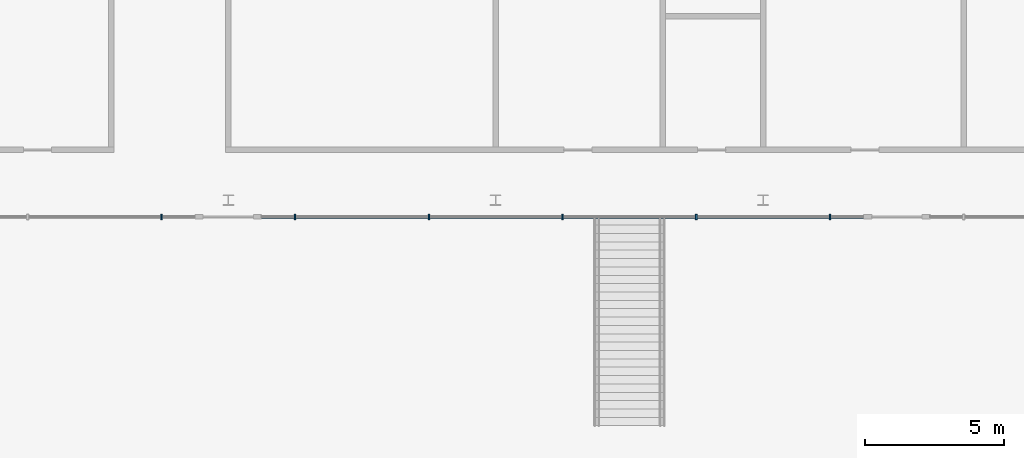
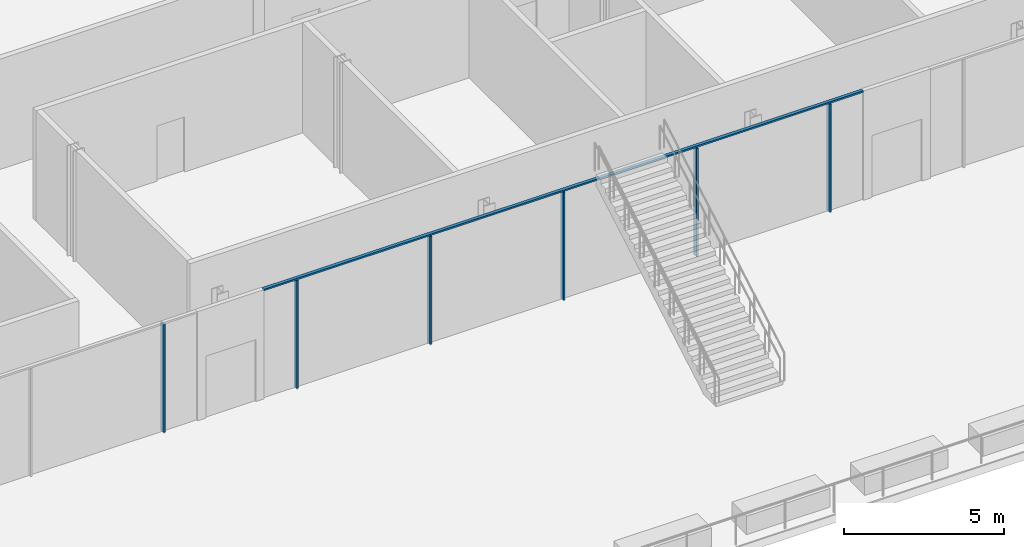
# One storey, part 9 of 45: 7 members, 1 element without a shape of its own.
"""IFC4 building model written with IfcOpenShell, lengths in metres."""

from ifc_helpers import new_model, si_unit, direction, frame, origin, origin_2d, place, context, subcontext, project, spatial, rectangle, extrude, material, layer, layer_set, material_profile, profile_set, type_object, element, aggregate, save


model = new_model("IFC4")

# Units and contexts
model_context = context("Model", 3, precision=1e-05, world=origin(), true_north=direction((0.0, 1.0)))
body_context = subcontext(model_context, "Body", "Model", "MODEL_VIEW")
ifc_project = project(units=[si_unit("LENGTHUNIT", "METRE"), si_unit("AREAUNIT", "SQUARE_METRE"), si_unit("VOLUMEUNIT", "CUBIC_METRE"), si_unit("PLANEANGLEUNIT", "RADIAN"), si_unit("MASSUNIT", "GRAM", prefix="KILO")], contexts=[model_context])

# Site, building, storey
site_placement = place(None, origin())
site = spatial("IfcSite", under=ifc_project, at=site_placement, CompositionType="ELEMENT")
building_placement = place(site_placement, origin())
building = spatial("IfcBuilding", under=site, at=building_placement, Name="Madar Terraces", CompositionType="ELEMENT")
storey_placement = place(building_placement, frame((0.0, 0.0, 6.0)))
storey = spatial("IfcBuildingStorey", under=building, at=storey_placement, Name="L01", CompositionType="ELEMENT", Elevation=6.0)

# Curtain wall, members
ifc_material_1 = material(Name="Glass, clear low-iron, with black aluminium frame", Category="aluminium")
ifc_layer = layer(ifc_material_1, 0.199951171875)
ifc_layer_set = layer_set([ifc_layer], Name="Facade curtain wall, shopfront glazing")
curtain_wall_type = type_object("IfcCurtainWallType", Name="Facade curtain wall, shopfront glazing", PredefinedType="NOTDEFINED", material=ifc_layer_set)
curtain_wall_placement = place(storey_placement, origin())
curtain_wall = element("IfcCurtainWall", 1, at=curtain_wall_placement, inside=storey, type_object=curtain_wall_type, Name="Outer skin curtain wall south bay 1", PredefinedType="NOTDEFINED")
ifc_material_2 = material(Name="Aluminium, black anodised", Category="aluminium")
ifc_material_profile_1 = material_profile(ifc_material_2, rectangle(XDim=0.199951171875, YDim=0.06005859375, at=origin_2d()), Name="Facade mullion 60x200")
ifc_profile_set_1 = profile_set([ifc_material_profile_1], Name="Aluminium, black anodised")
member_type_1 = type_object("IfcMemberType", Name="Facade mullion 60x200", PredefinedType="MULLION", material=ifc_profile_set_1)
member_1_placement = place(storey_placement, frame((31.199951171875, -38.39990234375, 0.0), z_axis=(0.0, 0.0, 1.0), x_axis=(0.0, 1.0, 0.0)))
member_1 = element("IfcMember", 2, at=member_1_placement, type_object=member_type_1, Name="Mullion 7", PredefinedType="MULLION", context=body_context, shape_type="SweptSolid", body=[
    extrude(rectangle(XDim=0.199951171875, YDim=0.06005859375, at=origin_2d()), origin(), (0.0, 0.0, 1.0), 4.139892578125),
])
member_2_placement = place(storey_placement, frame((36.0, -38.39990234375, 0.0), z_axis=(0.0, 0.0, 1.0), x_axis=(0.0, 1.0, 0.0)))
member_2 = element("IfcMember", 3, at=member_2_placement, type_object=member_type_1, Name="Mullion 8", PredefinedType="MULLION", context=body_context, shape_type="SweptSolid", body=[
    extrude(rectangle(XDim=0.199951171875, YDim=0.06005859375, at=origin_2d()), origin(), (0.0, 0.0, 1.0), 4.139892578125),
])
member_3_placement = place(storey_placement, frame((40.800048828125, -38.39990234375, 0.0), z_axis=(0.0, 0.0, 1.0), x_axis=(0.0, 1.0, 0.0)))
member_3 = element("IfcMember", 4, at=member_3_placement, type_object=member_type_1, Name="Mullion 9", PredefinedType="MULLION", context=body_context, shape_type="SweptSolid", body=[
    extrude(rectangle(XDim=0.199951171875, YDim=0.06005859375, at=origin_2d()), origin(), (0.0, 0.0, 1.0), 4.139892578125),
])
member_4_placement = place(storey_placement, frame((45.60009765625, -38.39990234375, 0.0), z_axis=(0.0, 0.0, 1.0), x_axis=(0.0, 1.0, 0.0)))
member_4 = element("IfcMember", 5, at=member_4_placement, type_object=member_type_1, Name="Mullion 10", PredefinedType="MULLION", context=body_context, shape_type="SweptSolid", body=[
    extrude(rectangle(XDim=0.199951171875, YDim=0.06005859375, at=origin_2d()), origin(), (0.0, 0.0, 1.0), 4.139892578125),
])
member_5_placement = place(storey_placement, frame((50.39990234375, -38.39990234375, 0.0), z_axis=(0.0, 0.0, 1.0), x_axis=(0.0, 1.0, 0.0)))
member_5 = element("IfcMember", 6, at=member_5_placement, type_object=member_type_1, Name="Mullion 11", PredefinedType="MULLION", context=body_context, shape_type="SweptSolid", body=[
    extrude(rectangle(XDim=0.199951171875, YDim=0.06005859375, at=origin_2d()), origin(), (0.0, 0.0, 1.0), 4.139892578125),
])
member_6_placement = place(storey_placement, frame((55.199951171875, -38.39990234375, 0.0), z_axis=(0.0, 0.0, 1.0), x_axis=(0.0, 1.0, 0.0)))
member_6 = element("IfcMember", 7, at=member_6_placement, type_object=member_type_1, Name="Mullion 12", PredefinedType="MULLION", context=body_context, shape_type="SweptSolid", body=[
    extrude(rectangle(XDim=0.199951171875, YDim=0.06005859375, at=origin_2d()), origin(), (0.0, 0.0, 1.0), 4.139892578125),
])
ifc_material_3 = material(Name="Aluminium, black anodised", Category="aluminium")
ifc_material_profile_2 = material_profile(ifc_material_3, rectangle(XDim=0.1201171875, YDim=0.06005859375, at=origin_2d()), Name="Facade transom 60x120")
ifc_profile_set_2 = profile_set([ifc_material_profile_2], Name="Aluminium, black anodised")
member_type_2 = type_object("IfcMemberType", Name="Facade transom 60x120", PredefinedType="USERDEFINED", material=ifc_profile_set_2)
member_7_placement = place(storey_placement, frame((34.800048828125, -38.39990234375, 4.169921875), z_axis=(1.0, 0.0, 0.0), x_axis=(0.0, 1.0, 0.0)))
member_7 = element("IfcMember", 8, at=member_7_placement, type_object=member_type_2, Name="Transom 3", ObjectType="TRANSOM", PredefinedType="USERDEFINED", context=body_context, shape_type="SweptSolid", body=[
    extrude(rectangle(XDim=0.1201171875, YDim=0.06005859375, at=origin_2d()), origin(), (0.0, 0.0, 1.0), 21.599853515625),
])
aggregate(curtain_wall, [member_1, member_2, member_3, member_4, member_5, member_6, member_7])

save(model, "model.ifc")
